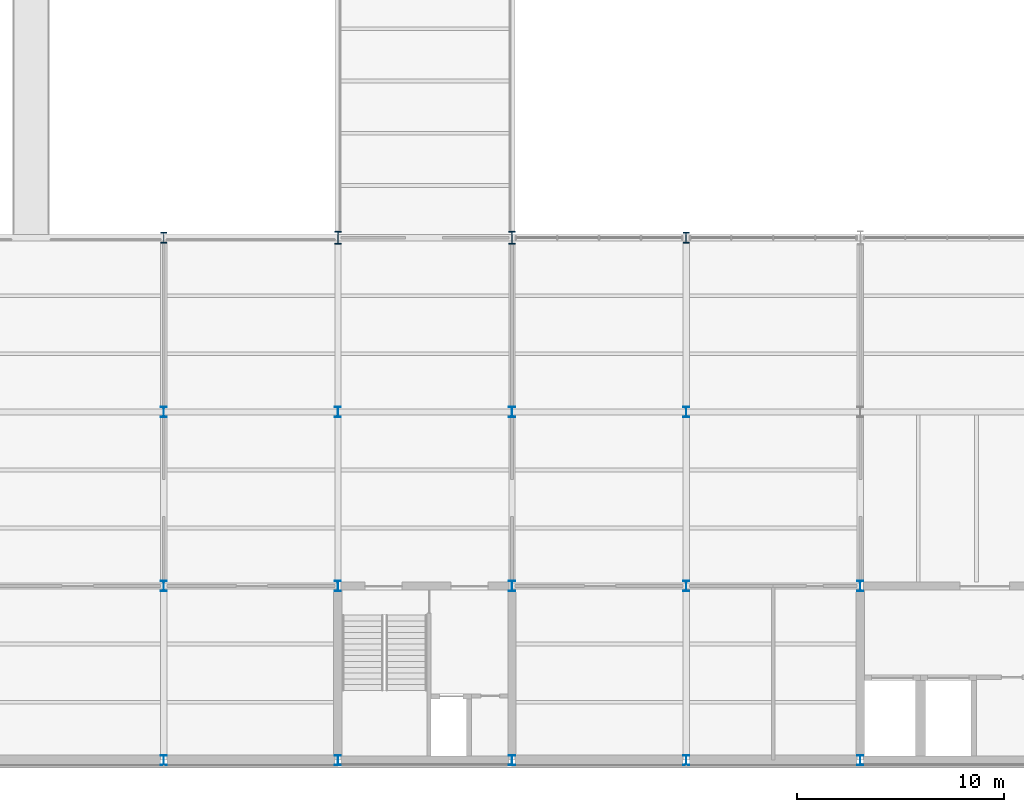
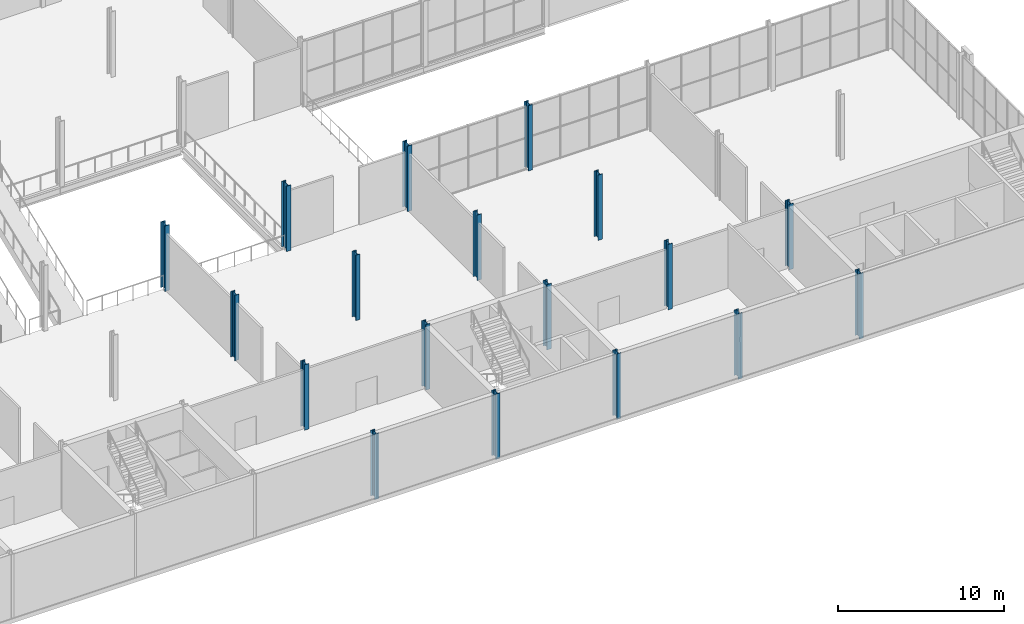
# One storey, part 5 of 61: 18 columns.
"""IFC4 building model written with IfcOpenShell, lengths in metres."""

from ifc_helpers import new_model, si_unit, direction, frame, origin, origin_2d, place, context, subcontext, project, spatial, i_section, extrude, material, material_profile, profile_set, type_object, element, save


model = new_model("IFC4")

# Units and contexts
model_context = context("Model", 3, precision=1e-05, world=origin(), true_north=direction((0.0, 1.0)))
body_context = subcontext(model_context, "Body", "Model", "MODEL_VIEW")
ifc_project = project(units=[si_unit("LENGTHUNIT", "METRE"), si_unit("AREAUNIT", "SQUARE_METRE"), si_unit("VOLUMEUNIT", "CUBIC_METRE"), si_unit("PLANEANGLEUNIT", "RADIAN"), si_unit("MASSUNIT", "GRAM", prefix="KILO")], contexts=[model_context])

# Site, building, storey
site_placement = place(None, origin())
site = spatial("IfcSite", under=ifc_project, at=site_placement, CompositionType="ELEMENT")
building_placement = place(site_placement, origin())
building = spatial("IfcBuilding", under=site, at=building_placement, Name="Galleria Vessillo Department Store", CompositionType="ELEMENT")
storey_placement = place(building_placement, frame((0.0, 0.0, 11.39990234375)))
storey = spatial("IfcBuildingStorey", under=building, at=storey_placement, Name="L02", CompositionType="ELEMENT", Elevation=11.39990234375)

# Columns
ifc_material_1 = material(Name="Steel S355 J2", Category="steel")
ifc_material_profile_1 = material_profile(ifc_material_1, i_section(OverallWidth=0.300048828125, OverallDepth=0.5, WebThickness=0.014404296875, FlangeThickness=0.028076171875, FilletRadius=0.027099609375, at=origin_2d()), Name="HEB 500")
ifc_profile_set_1 = profile_set([ifc_material_profile_1], Name="Steel S355 J2")
column_type_1 = type_object("IfcColumnType", Name="Steel column HEB 500 CP1", PredefinedType="COLUMN", material=ifc_profile_set_1)
for number, where, z_axis, x_axis, name in (
    (1, (67.199951171875, 0.0, 0.0), (0.0, 0.0, 1.0), (1.0, 0.0, 0.0), "S-COL-L02-9-A"),
    (2, (67.199951171875, 8.39990234375, 0.0), (0.0, 0.0, 1.0), (1.0, 0.0, 0.0), "S-COL-L02-9-B"),
    (3, (67.199951171875, 16.800048828125, 0.0), (0.0, 0.0, 1.0), (1.0, 0.0, 0.0), "S-COL-L02-9-C"),
    (4, (75.60009765625, 0.0, 0.0), (0.0, 0.0, 1.0), (1.0, 0.0, 0.0), "S-COL-L02-10-A"),
    (5, (75.60009765625, 8.39990234375, 0.0), (0.0, 0.0, 1.0), (1.0, 0.0, 0.0), "S-COL-L02-10-B"),
    (6, (75.60009765625, 16.800048828125, 0.0), (0.0, 0.0, 1.0), (1.0, 0.0, 0.0), "S-COL-L02-10-C"),
    (7, (84.0, 0.0, 0.0), (0.0, 0.0, 1.0), (1.0, 0.0, 0.0), "S-COL-L02-11-A"),
    (8, (84.0, 8.39990234375, 0.0), (0.0, 0.0, 1.0), (1.0, 0.0, 0.0), "S-COL-L02-11-B"),
    (9, (84.0, 16.800048828125, 0.0), (0.0, 0.0, 1.0), (1.0, 0.0, 0.0), "S-COL-L02-11-C"),
    (10, (92.39990234375, 0.0, 0.0), (0.0, 0.0, 1.0), (1.0, 0.0, 0.0), "S-COL-L02-12-A"),
    (11, (92.39990234375, 8.39990234375, 0.0), (0.0, 0.0, 1.0), (1.0, 0.0, 0.0), "S-COL-L02-12-B"),
    (12, (92.39990234375, 16.800048828125, 0.0), (0.0, 0.0, 1.0), (1.0, 0.0, 0.0), "S-COL-L02-12-C"),
    (13, (100.800048828125, 0.0, 0.0), (0.0, 0.0, 1.0), (1.0, 0.0, 0.0), "S-COL-L02-13-A"),
    (14, (100.800048828125, 8.39990234375, 0.0), (0.0, 0.0, 1.0), (1.0, 0.0, 0.0), "S-COL-L02-13-B"),
):
    element("IfcColumn", number, at=place(storey_placement, frame(where, z_axis=z_axis, x_axis=x_axis)), inside=storey, type_object=column_type_1, Name=name, PredefinedType="COLUMN", context=body_context, shape_type="SweptSolid", body=[
        extrude(i_section(OverallWidth=0.300048828125, OverallDepth=0.5, WebThickness=0.014404296875, FlangeThickness=0.028076171875, FilletRadius=0.027099609375, at=origin_2d()), origin(), (0.0, 0.0, 1.0), 4.800048828125),
    ])
ifc_material_2 = material(Name="Steel S355 J2", Category="steel")
ifc_material_profile_2 = material_profile(ifc_material_2, i_section(OverallWidth=0.305908203125, OverallDepth=0.52392578125, WebThickness=0.02099609375, FlangeThickness=0.0400390625, FilletRadius=0.027099609375, at=origin_2d()), Name="HEM 500")
ifc_profile_set_2 = profile_set([ifc_material_profile_2], Name="Steel S355 J2")
column_type_2 = type_object("IfcColumnType", Name="Steel column HEM 500 CV1", PredefinedType="COLUMN", material=ifc_profile_set_2)
for number, where, z_axis, x_axis, name in (
    (15, (67.199951171875, 25.199951171875, 0.0), (0.0, 0.0, 1.0), (1.0, 0.0, 0.0), "S-COL-L02-9-D"),
    (16, (92.39990234375, 25.199951171875, 0.0), (0.0, 0.0, 1.0), (1.0, 0.0, 0.0), "S-COL-L02-12-D"),
):
    element("IfcColumn", number, at=place(storey_placement, frame(where, z_axis=z_axis, x_axis=x_axis)), inside=storey, type_object=column_type_2, Name=name, PredefinedType="COLUMN", context=body_context, shape_type="SweptSolid", body=[
        extrude(i_section(OverallWidth=0.305908203125, OverallDepth=0.52392578125, WebThickness=0.02099609375, FlangeThickness=0.0400390625, FilletRadius=0.027099609375, at=origin_2d()), origin(), (0.0, 0.0, 1.0), 4.800048828125),
    ])
ifc_material_3 = material(Name="Steel S355 J2", Category="steel")
ifc_material_profile_3 = material_profile(ifc_material_3, i_section(OverallWidth=0.304931640625, OverallDepth=0.6201171875, WebThickness=0.02099609375, FlangeThickness=0.0400390625, FilletRadius=0.027099609375, at=origin_2d()), Name="HEM 600")
ifc_profile_set_3 = profile_set([ifc_material_profile_3], Name="Steel S355 J2")
column_type_3 = type_object("IfcColumnType", Name="Steel column HEM 600 CV2", PredefinedType="COLUMN", material=ifc_profile_set_3)
for number, where, z_axis, x_axis, name in (
    (17, (75.60009765625, 25.199951171875, 0.0), (0.0, 0.0, 1.0), (1.0, 0.0, 0.0), "S-COL-L02-10-D"),
    (18, (84.0, 25.199951171875, 0.0), (0.0, 0.0, 1.0), (1.0, 0.0, 0.0), "S-COL-L02-11-D"),
):
    element("IfcColumn", number, at=place(storey_placement, frame(where, z_axis=z_axis, x_axis=x_axis)), inside=storey, type_object=column_type_3, Name=name, PredefinedType="COLUMN", context=body_context, shape_type="SweptSolid", body=[
        extrude(i_section(OverallWidth=0.304931640625, OverallDepth=0.6201171875, WebThickness=0.02099609375, FlangeThickness=0.0400390625, FilletRadius=0.027099609375, at=origin_2d()), origin(), (0.0, 0.0, 1.0), 4.800048828125),
    ])

save(model, "model.ifc")
